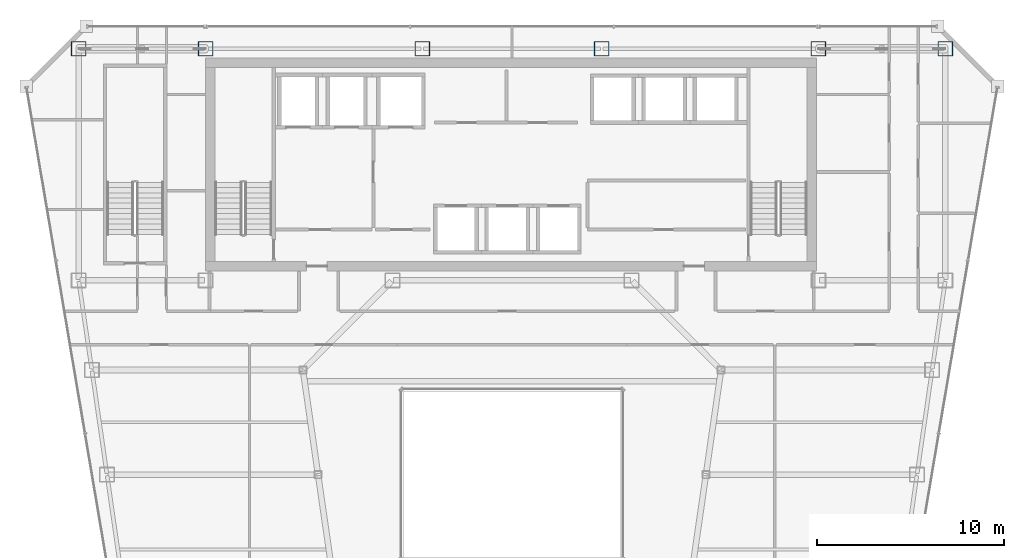
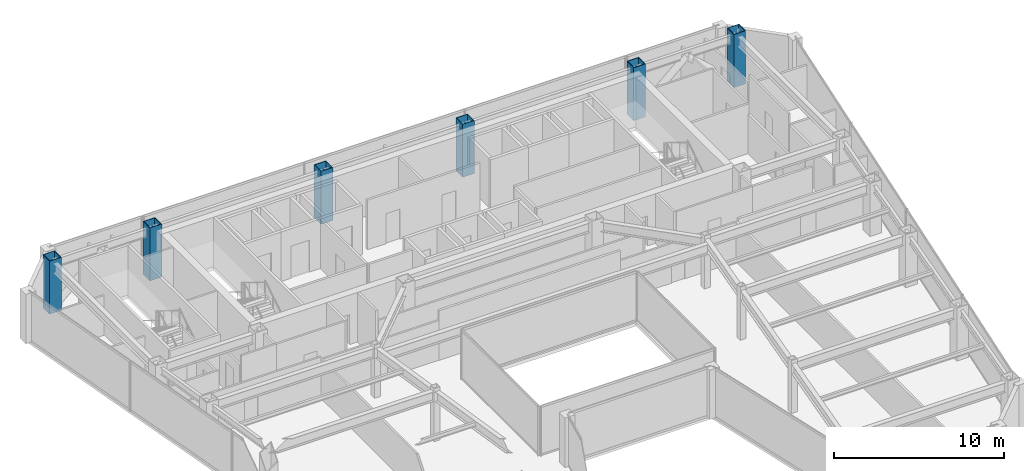
# One storey, part 2 of 35: 6 columns.
"""IFC4 building model written with IfcOpenShell, lengths in metres."""

import ifcopenshell
import ifcopenshell.guid

model = None  # the IFC model being written
_history = None  # IfcOwnerHistory: only IFC2X3 demands one
_inside = {}  # id of a spatial element -> (the spatial element, [elements in it])
_under = {}  # id of a project, library or spatial element -> (it, [spatial elements below it])
_declared = {}  # id of a project -> (the project, [libraries it declares])
_typed = {}  # id of a type object -> (the type object, [elements of that type])
_made_of = {}  # id of a material, layer set ... -> (it, [elements and type objects made of it])


def new_model(schema):
    """Start an empty IFC model of exactly this schema.

    Asked for "IFC4X3", IfcOpenShell would pick the latest addendum, in which some entities
    have other attributes; the version numbers below select the first issue.
    IFC2X3 requires an IfcOwnerHistory on every rooted entity: one is made here for all.
    """
    global model, _history
    if schema == "IFC4X3":
        model = ifcopenshell.file(schema_version=(4, 3, 0, 0))
    else:
        model = ifcopenshell.file(schema=schema)
    _inside.clear()
    _under.clear()
    _declared.clear()
    _typed.clear()
    _made_of.clear()
    _history = None
    if model.schema == "IFC2X3":
        org = make("IfcOrganization", Name="unknown")
        user = make(
            "IfcPersonAndOrganization",
            ThePerson=make("IfcPerson", FamilyName="unknown"),
            TheOrganization=org,
        )
        app = make(
            "IfcApplication",
            ApplicationDeveloper=org,
            Version="unknown",
            ApplicationFullName="unknown",
            ApplicationIdentifier="unknown",
        )
        _history = make(
            "IfcOwnerHistory",
            OwningUser=user,
            OwningApplication=app,
            ChangeAction="ADDED",
            CreationDate=0,
        )
    return model


def make(cls, **values):
    """One entity of the class cls with the attributes given. An attribute that is None is left unset."""
    return model.create_entity(
        cls, **{name: value for name, value in values.items() if value is not None}
    )


def rooted(cls, **values):
    """An entity with a GlobalId (a new one), such as an element, a storey or a relation."""
    return make(cls, GlobalId=ifcopenshell.guid.new(), OwnerHistory=_history, **values)


def si_unit(unit_type, name, prefix=None):
    """IfcSIUnit, for example si_unit("LENGTHUNIT", "METRE", prefix="MILLI")."""
    return make("IfcSIUnit", UnitType=unit_type, Prefix=prefix, Name=name)


def assignment(units):
    """IfcUnitAssignment: the units of a project."""
    return None if units is None else make("IfcUnitAssignment", Units=units)


def point(xyz):
    """IfcCartesianPoint."""
    return None if xyz is None else make("IfcCartesianPoint", Coordinates=xyz)


def direction(xyz):
    """IfcDirection."""
    return None if xyz is None else make("IfcDirection", DirectionRatios=xyz)


def frame(location, z_axis=None, x_axis=None):
    """IfcAxis2Placement3D, a coordinate frame: its origin and axes. An axis left out is left unset."""
    return make(
        "IfcAxis2Placement3D",
        Location=point(location),
        Axis=direction(z_axis),
        RefDirection=direction(x_axis),
    )


def frame_2d(location, x_axis=None):
    """IfcAxis2Placement2D, a coordinate frame in the plane: its origin and x axis."""
    return make(
        "IfcAxis2Placement2D", Location=point(location), RefDirection=direction(x_axis)
    )


def origin():
    """The frame at (0, 0, 0) with its axes left unset."""
    return frame((0.0, 0.0, 0.0))


def origin_2d():
    """The frame at (0, 0) in the plane with its x axis left unset."""
    return frame_2d((0.0, 0.0))


def place(relative_to, where):
    """IfcLocalPlacement: puts the frame where relative to a parent placement (None: the world)."""
    return make(
        "IfcLocalPlacement", PlacementRelTo=relative_to, RelativePlacement=where
    )


def context(
    kind, dimensions, precision=None, world=None, true_north=None, identifier=None
):
    """IfcGeometricRepresentationContext, for example the 3D "Model" context."""
    return make(
        "IfcGeometricRepresentationContext",
        ContextIdentifier=identifier,
        ContextType=kind,
        CoordinateSpaceDimension=dimensions,
        Precision=precision,
        WorldCoordinateSystem=world,
        TrueNorth=true_north,
    )


def subcontext(parent, identifier, kind, view, scale=None):
    """IfcGeometricRepresentationSubContext, for example "Body" below "Model"."""
    return make(
        "IfcGeometricRepresentationSubContext",
        ContextIdentifier=identifier,
        ContextType=kind,
        ParentContext=parent,
        TargetScale=scale,
        TargetView=view,
    )


def project(units=None, contexts=None):
    """IfcProject with its units and contexts."""
    return rooted(
        "IfcProject",
        Name="project",
        RepresentationContexts=contexts,
        UnitsInContext=assignment(units),
    )


def spatial(cls, under=None, at=None, **own):
    """A site, building, storey or space (cls), placed at a placement, below another one or the project."""
    s = rooted(cls, ObjectPlacement=at, **own)
    if under is not None:
        _under.setdefault(under.id(), (under, []))[1].append(s)
    return s


def profile(cls, at=None, kind="AREA", **sizes):
    """A parametric profile (cls). Its sizes go by their IFC names, for example OverallWidth=200.0."""
    return make(cls, ProfileType=kind, Position=at, **sizes)


def hollow_rectangle(**sizes):
    """IfcRectangleHollowProfileDef."""
    return profile("IfcRectangleHollowProfileDef", **sizes)


def extrude(swept, where, along, depth):
    """IfcExtrudedAreaSolid: the profile swept, set in the frame where, extruded along a direction by depth."""
    return make(
        "IfcExtrudedAreaSolid",
        SweptArea=swept,
        Position=where,
        ExtrudedDirection=direction(along),
        Depth=depth,
    )


def shape(context_of_items, identifier, shape_type, items):
    """IfcShapeRepresentation: the items that make up one representation, for example the "Body"."""
    return make(
        "IfcShapeRepresentation",
        ContextOfItems=context_of_items,
        RepresentationIdentifier=identifier,
        RepresentationType=shape_type,
        Items=items,
    )


def material(Name=None, Category=None):
    """IfcMaterial."""
    return make("IfcMaterial", Name=Name, Category=Category)


def material_profile(
    of_material, cross_section, Name=None, Category=None, Priority=None
):
    """IfcMaterialProfile: a cross section and its material."""
    return make(
        "IfcMaterialProfile",
        Name=Name,
        Material=of_material,
        Profile=cross_section,
        Priority=Priority,
        Category=Category,
    )


def profile_set(profiles, Name=None, composite=None):
    """IfcMaterialProfileSet."""
    return make(
        "IfcMaterialProfileSet",
        Name=Name,
        MaterialProfiles=profiles,
        CompositeProfile=composite,
    )


def made_of(thing, what):
    """Note that an element or type object is made of a material, layer set ...; save() writes the relation."""
    if what is not None:
        _made_of.setdefault(what.id(), (what, []))[1].append(thing)
    return thing


def type_object(cls, material=None, **own):
    """A type object (cls), such as IfcWallType, which elements share."""
    return made_of(rooted(cls, **own), material)


def element(
    cls,
    number,
    at=None,
    inside=None,
    cuts=None,
    type_object=None,
    material=None,
    context=None,
    identifier="Body",
    shape_type=None,
    held_by="IfcProductDefinitionShape",
    body=None,
    shapes=None,
    **own,
):
    """One element of the class cls, such as IfcWall. Its Tag is "e" and its number.

    at: its placement. inside: the storey or other place that contains it. cuts: it is an
    opening in that element (IfcRelVoidsElement). A single representation is given by context,
    identifier, shape_type and body (its items); several are given by shapes. held_by: the class
    of the entity that holds the representations. save() writes the other relations.
    """
    e = rooted(cls, Tag="e%d" % number, ObjectPlacement=at, **own)
    if body is not None:
        shapes = [shape(context, identifier, shape_type, body)]
    if shapes is not None:
        e.Representation = make(held_by, Representations=shapes)
    if inside is not None:
        _inside.setdefault(inside.id(), (inside, []))[1].append(e)
    if cuts is not None:
        rooted(
            "IfcRelVoidsElement", RelatingBuildingElement=cuts, RelatedOpeningElement=e
        )
    if type_object is not None:
        _typed.setdefault(type_object.id(), (type_object, []))[1].append(e)
    return made_of(e, material)


def aggregate(whole, parts):
    """IfcRelAggregates: a whole, such as a stair, and the parts it consists of."""
    return rooted("IfcRelAggregates", RelatingObject=whole, RelatedObjects=parts)


def save(model, path):
    """Write the relations noted so far, then the file.

    IfcRelAggregates (storeys below a building ...), IfcRelContainedInSpatialStructure (elements
    in a storey), IfcRelDefinesByType, IfcRelAssociatesMaterial and IfcRelDeclares: one each for
    every whole, place, type object, material and project.
    """
    for whole, parts in _under.values():
        aggregate(whole, parts)
    for where, things in _inside.values():
        rooted(
            "IfcRelContainedInSpatialStructure",
            RelatedElements=things,
            RelatingStructure=where,
        )
    for kind, things in _typed.values():
        rooted("IfcRelDefinesByType", RelatedObjects=things, RelatingType=kind)
    for what, things in _made_of.values():
        rooted("IfcRelAssociatesMaterial", RelatedObjects=things, RelatingMaterial=what)
    for by, libraries in _declared.values():
        rooted("IfcRelDeclares", RelatingContext=by, RelatedDefinitions=libraries)
    model.write(path)


model = new_model("IFC4")

# Units and contexts
model_context = context("Model", 3, precision=1e-05, world=origin(), true_north=direction((0.0, 1.0)))
body_context = subcontext(model_context, "Body", "Model", "MODEL_VIEW")
ifc_project = project(units=[si_unit("LENGTHUNIT", "METRE"), si_unit("AREAUNIT", "SQUARE_METRE"), si_unit("VOLUMEUNIT", "CUBIC_METRE"), si_unit("PLANEANGLEUNIT", "RADIAN"), si_unit("MASSUNIT", "GRAM", prefix="KILO")], contexts=[model_context])

# Site, building, storey
site_placement = place(None, origin())
site = spatial("IfcSite", under=ifc_project, at=site_placement, CompositionType="ELEMENT")
building_placement = place(site_placement, origin())
building = spatial("IfcBuilding", under=site, at=building_placement, Name="Saevonmaru Cultural Tower", CompositionType="ELEMENT")
storey_placement = place(building_placement, frame((0.0, 0.0, 213.199951171875)))
storey = spatial("IfcBuildingStorey", under=building, at=storey_placement, Name="L49", CompositionType="ELEMENT", Elevation=213.199951171875)

# Columns
ifc_material = material(Name="Steel SM420", Category="steel")
ifc_material_profile = material_profile(ifc_material, hollow_rectangle(XDim=0.800048828125, YDim=0.800048828125, WallThickness=0.035888671875, at=origin_2d()), Name="BOX-800x800x36")
ifc_profile_set = profile_set([ifc_material_profile], Name="Steel SM420")
column_type = type_object("IfcColumnType", Name="COL-BOX-800", PredefinedType="COLUMN", material=ifc_profile_set)
for number, where, z_axis, x_axis, name in (
    (1, (6.800048828125, 54.800048828125, 0.0), (0.0, 0.0, 1.0), (1.0, 0.0, 0.0), "L49 Column TC-N1N"),
    (2, (13.60009765625, 54.800048828125, 0.0), (0.0, 0.0, 1.0), (1.0, 0.0, 0.0), "L49 Column TC-N2N"),
    (3, (25.199951171875, 54.800048828125, 0.0), (0.0, 0.0, 1.0), (1.0, 0.0, 0.0), "L49 Column TC-N3N"),
    (4, (34.800048828125, 54.800048828125, 0.0), (0.0, 0.0, 1.0), (1.0, 0.0, 0.0), "L49 Column TC-N4N"),
    (5, (46.39990234375, 54.800048828125, 0.0), (0.0, 0.0, 1.0), (1.0, 0.0, 0.0), "L49 Column TC-N5N"),
    (6, (53.199951171875, 54.800048828125, 0.0), (0.0, 0.0, 1.0), (1.0, 0.0, 0.0), "L49 Column TC-N6N"),
):
    element("IfcColumn", number, at=place(storey_placement, frame(where, z_axis=z_axis, x_axis=x_axis)), inside=storey, type_object=column_type, Name=name, PredefinedType="COLUMN", context=body_context, shape_type="SweptSolid", body=[
        extrude(hollow_rectangle(XDim=0.800048828125, YDim=0.800048828125, WallThickness=0.035888671875, at=origin_2d()), origin(), (0.0, 0.0, 1.0), 3.800048828125),
    ])

save(model, "model.ifc")
